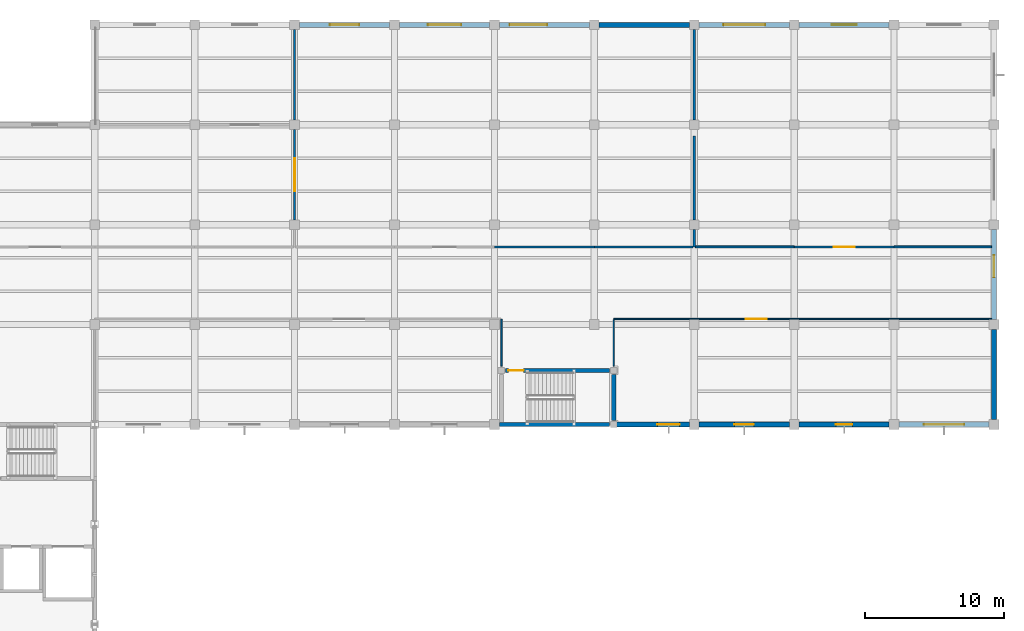
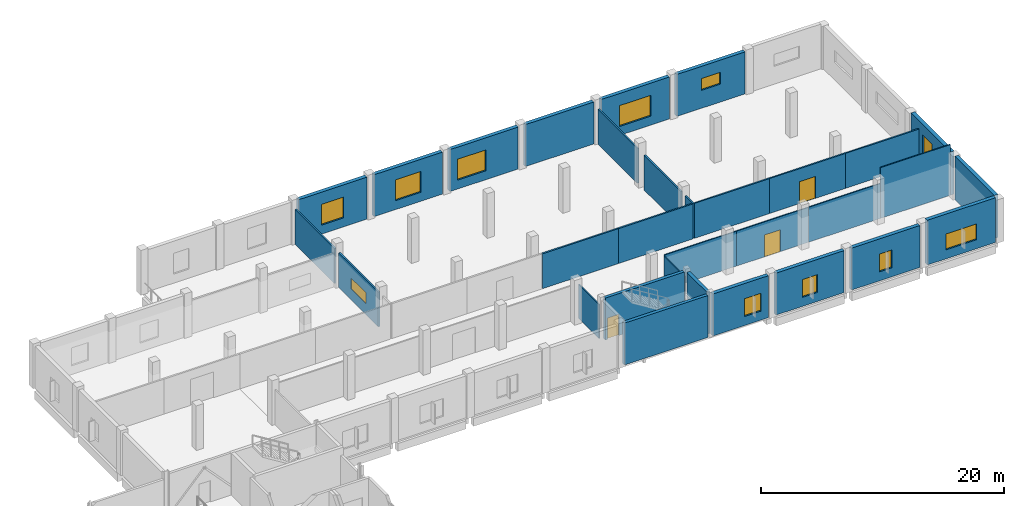
# One storey, part 93 of 108: 31 walls, 11 windows, 3 doors, 14 openings.
"""IFC4 building model written with IfcOpenShell, lengths in metres."""

from ifc_helpers import new_model, si_unit, direction, frame, frame_2d, origin, place, context, subcontext, project, spatial, rectangle, extrude, material, layer, layer_set, type_object, element, fill, save


model = new_model("IFC4")

# Units and contexts
model_context = context("Model", 3, precision=1e-05, world=origin(), true_north=direction((0.0, 1.0)))
body_context = subcontext(model_context, "Body", "Model", "MODEL_VIEW")
ifc_project = project(units=[si_unit("LENGTHUNIT", "METRE"), si_unit("AREAUNIT", "SQUARE_METRE"), si_unit("VOLUMEUNIT", "CUBIC_METRE"), si_unit("PLANEANGLEUNIT", "RADIAN"), si_unit("MASSUNIT", "GRAM", prefix="KILO"), si_unit("THERMODYNAMICTEMPERATUREUNIT", "KELVIN"), si_unit("POWERUNIT", "WATT")], contexts=[model_context])

# Site, building, storey
site_placement = place(None, origin())
site = spatial("IfcSite", under=ifc_project, at=site_placement, CompositionType="ELEMENT")
building_placement = place(site_placement, origin())
building = spatial("IfcBuilding", under=site, at=building_placement, Name="Kaldorven Railside Theatre", CompositionType="ELEMENT")
storey_placement = place(building_placement, frame((0.0, 0.0, 5.39990234375)))
storey = spatial("IfcBuildingStorey", under=building, at=storey_placement, Name="L01", CompositionType="ELEMENT", Elevation=5.39990234375)

# Wall, opening, window
ifc_material_1 = material(Name="Precast concrete C40/50", Category="concrete")
ifc_layer_1 = layer(ifc_material_1, 0.35009765625, Name="Precast concrete C40/50")
ifc_layer_set_1 = layer_set([ifc_layer_1], Name="Precast concrete C40/50")
wall_type_1 = type_object("IfcWallType", Name="WL-EW03", PredefinedType="SOLIDWALL", material=ifc_layer_set_1)
wall_1_placement = place(storey_placement, frame((187.64990234375, 112.800048828125, 0.0), z_axis=(0.0, 0.0, 1.0), x_axis=(-1.0, 0.0, 0.0)))
wall_1 = element("IfcWall", 1, at=wall_1_placement, inside=storey, type_object=wall_type_1, Name="V6 L01 Exterior Wall EW-0392", PredefinedType="SOLIDWALL", context=body_context, shape_type="SweptSolid", body=[
    extrude(rectangle(XDim=6.5, YDim=0.35009765625, at=frame_2d((3.25, 0.0))), origin(), (0.0, 0.0, 1.0), 4.5),
])
opening_1_placement = place(wall_1_placement, frame((1.800048828125, 0.0, 0.89990234375)))
opening_1 = element("IfcOpeningElement", 2, at=opening_1_placement, cuts=wall_1, Name="Opening WN-075", PredefinedType="OPENING", context=body_context, shape_type="SweptSolid", body=[
    extrude(rectangle(XDim=2.89990234375, YDim=1.60009765625, at=frame_2d((1.449951171875, 0.800048828125))), frame((0.0, 0.18505859375, 0.0), z_axis=(0.0, -1.0, 0.0), x_axis=(1.0, 0.0, 0.0)), (0.0, 0.0, 1.0), 0.3701171875),
])
ifc_material_2 = material(Name="Low-E laminated solar-control glass", Category="glass")
window_type_1 = type_object("IfcWindowType", Name="WN-EW25", PartitioningType="SINGLE_PANEL", PredefinedType="WINDOW", material=ifc_material_2)
window_1_placement = place(opening_1_placement, origin())
window_1 = element("IfcWindow", 3, at=window_1_placement, inside=storey, type_object=window_type_1, Name="Shaded Acoustic Exterior Window WN-075", OverallHeight=1.60009765625, OverallWidth=2.89990234375, PartitioningType="SINGLE_PANEL", PredefinedType="WINDOW", context=body_context, shape_type="SweptSolid", body=[
    extrude(rectangle(XDim=2.89990234375, YDim=1.60009765625, at=frame_2d((1.449951171875, 0.800048828125))), frame((0.0, 0.030029296875, 0.0), z_axis=(0.0, -1.0, 0.0), x_axis=(1.0, 0.0, 0.0)), (0.0, 0.0, 1.0), 0.06005859375),
])
fill(opening_1, window_1)

wall_2_placement = place(storey_placement, frame((180.449951171875, 112.800048828125, 0.0), z_axis=(0.0, 0.0, 1.0), x_axis=(-1.0, 0.0, 0.0)))
wall_2 = element("IfcWall", 4, at=wall_2_placement, inside=storey, type_object=wall_type_1, Name="V6 L01 Exterior Wall EW-0393", PredefinedType="SOLIDWALL", context=body_context, shape_type="SweptSolid", body=[
    extrude(rectangle(XDim=6.5, YDim=0.35009765625, at=frame_2d((3.25, 0.0))), origin(), (0.0, 0.0, 1.0), 4.22021484375),
])
opening_2_placement = place(wall_2_placement, frame((2.64990234375, 0.0, 0.89990234375)))
opening_2 = element("IfcOpeningElement", 5, at=opening_2_placement, cuts=wall_2, Name="Opening WN-076", PredefinedType="OPENING", context=body_context, shape_type="SweptSolid", body=[
    extrude(rectangle(XDim=1.199951171875, YDim=1.800048828125, at=frame_2d((0.60009765625, 0.89990234375))), frame((0.0, 0.18505859375, 0.0), z_axis=(0.0, -1.0, 0.0), x_axis=(1.0, 0.0, 0.0)), (0.0, 0.0, 1.0), 0.3701171875),
])
window_type_2 = type_object("IfcWindowType", Name="WN-EW01", PartitioningType="SINGLE_PANEL", PredefinedType="WINDOW", material=ifc_material_2)
window_2_placement = place(opening_2_placement, origin())
window_2 = element("IfcWindow", 6, at=window_2_placement, inside=storey, type_object=window_type_2, Name="Shaded Acoustic Exterior Window WN-076", OverallHeight=1.800048828125, OverallWidth=1.199951171875, PartitioningType="SINGLE_PANEL", PredefinedType="WINDOW", context=body_context, shape_type="SweptSolid", body=[
    extrude(rectangle(XDim=1.199951171875, YDim=1.800048828125, at=frame_2d((0.60009765625, 0.89990234375))), frame((0.0, 0.030029296875, 0.0), z_axis=(0.0, -1.0, 0.0), x_axis=(1.0, 0.0, 0.0)), (0.0, 0.0, 1.0), 0.06005859375),
])
fill(opening_2, window_2)

wall_3_placement = place(storey_placement, frame((173.25, 112.800048828125, 0.0), z_axis=(0.0, 0.0, 1.0), x_axis=(-1.0, 0.0, 0.0)))
wall_3 = element("IfcWall", 7, at=wall_3_placement, inside=storey, type_object=wall_type_1, Name="V6 L01 Exterior Wall EW-0394", PredefinedType="SOLIDWALL", context=body_context, shape_type="SweptSolid", body=[
    extrude(rectangle(XDim=6.5, YDim=0.35009765625, at=frame_2d((3.25, 0.0))), origin(), (0.0, 0.0, 1.0), 4.22021484375),
])
opening_3_placement = place(wall_3_placement, frame((2.550048828125, 0.0, 0.89990234375)))
opening_3 = element("IfcOpeningElement", 8, at=opening_3_placement, cuts=wall_3, Name="Opening WN-077", PredefinedType="OPENING", context=body_context, shape_type="SweptSolid", body=[
    extrude(rectangle(XDim=1.39990234375, YDim=1.800048828125, at=frame_2d((0.699951171875, 0.89990234375))), frame((0.0, 0.18505859375, 0.0), z_axis=(0.0, -1.0, 0.0), x_axis=(1.0, 0.0, 0.0)), (0.0, 0.0, 1.0), 0.3701171875),
])
window_type_3 = type_object("IfcWindowType", Name="WN-EW02", PartitioningType="SINGLE_PANEL", PredefinedType="WINDOW", material=ifc_material_2)
window_3_placement = place(opening_3_placement, origin())
window_3 = element("IfcWindow", 9, at=window_3_placement, inside=storey, type_object=window_type_3, Name="Shaded Acoustic Exterior Window WN-077", OverallHeight=1.800048828125, OverallWidth=1.39990234375, PartitioningType="SINGLE_PANEL", PredefinedType="WINDOW", context=body_context, shape_type="SweptSolid", body=[
    extrude(rectangle(XDim=1.39990234375, YDim=1.800048828125, at=frame_2d((0.699951171875, 0.89990234375))), frame((0.0, 0.030029296875, 0.0), z_axis=(0.0, -1.0, 0.0), x_axis=(1.0, 0.0, 0.0)), (0.0, 0.0, 1.0), 0.06005859375),
])
fill(opening_3, window_3)

wall_4_placement = place(storey_placement, frame((166.050048828125, 112.800048828125, 0.0), z_axis=(0.0, 0.0, 1.0), x_axis=(-1.0, 0.0, 0.0)))
wall_4 = element("IfcWall", 10, at=wall_4_placement, inside=storey, type_object=wall_type_1, Name="V6 L01 Exterior Wall EW-0395", PredefinedType="SOLIDWALL", context=body_context, shape_type="SweptSolid", body=[
    extrude(rectangle(XDim=5.300048828125, YDim=0.35009765625, at=frame_2d((2.64990234375, 0.0))), origin(), (0.0, 0.0, 1.0), 4.22021484375),
])
opening_4_placement = place(wall_4_placement, frame((0.699951171875, 0.0, 0.89990234375)))
opening_4 = element("IfcOpeningElement", 11, at=opening_4_placement, cuts=wall_4, Name="Opening WN-078", PredefinedType="OPENING", context=body_context, shape_type="SweptSolid", body=[
    extrude(rectangle(XDim=1.60009765625, YDim=1.800048828125, at=frame_2d((0.800048828125, 0.89990234375))), frame((0.0, 0.18505859375, 0.0), z_axis=(0.0, -1.0, 0.0), x_axis=(1.0, 0.0, 0.0)), (0.0, 0.0, 1.0), 0.3701171875),
])
window_type_4 = type_object("IfcWindowType", Name="WN-EW03", PartitioningType="SINGLE_PANEL", PredefinedType="WINDOW", material=ifc_material_2)
window_4_placement = place(opening_4_placement, origin())
window_4 = element("IfcWindow", 12, at=window_4_placement, inside=storey, type_object=window_type_4, Name="Shaded Acoustic Exterior Window WN-078", OverallHeight=1.800048828125, OverallWidth=1.60009765625, PartitioningType="SINGLE_PANEL", PredefinedType="WINDOW", context=body_context, shape_type="SweptSolid", body=[
    extrude(rectangle(XDim=1.60009765625, YDim=1.800048828125, at=frame_2d((0.800048828125, 0.89990234375))), frame((0.0, 0.030029296875, 0.0), z_axis=(0.0, -1.0, 0.0), x_axis=(1.0, 0.0, 0.0)), (0.0, 0.0, 1.0), 0.06005859375),
])
fill(opening_4, window_4)

wall_5_placement = place(storey_placement, frame((137.949951171875, 141.60009765625, 0.0), z_axis=(0.0, 0.0, 1.0), x_axis=(1.0, 0.0, 0.0)))
wall_5 = element("IfcWall", 13, at=wall_5_placement, inside=storey, type_object=wall_type_1, Name="V6 L01 Exterior Wall EW-0402", PredefinedType="SOLIDWALL", context=body_context, shape_type="SweptSolid", body=[
    extrude(rectangle(XDim=6.5, YDim=0.35009765625, at=frame_2d((3.25, 0.0))), origin(), (0.0, 0.0, 1.0), 4.22021484375),
])
opening_5_placement = place(wall_5_placement, frame((2.199951171875, 0.0, 0.89990234375)))
opening_5 = element("IfcOpeningElement", 14, at=opening_5_placement, cuts=wall_5, Name="Opening WN-085", PredefinedType="OPENING", context=body_context, shape_type="SweptSolid", body=[
    extrude(rectangle(XDim=2.10009765625, YDim=2.10009765625, at=frame_2d((1.050048828125, 1.050048828125))), frame((0.0, 0.18505859375, 0.0), z_axis=(0.0, -1.0, 0.0), x_axis=(1.0, 0.0, 0.0)), (0.0, 0.0, 1.0), 0.3701171875),
])
window_type_5 = type_object("IfcWindowType", Name="WN-EW10", PartitioningType="SINGLE_PANEL", PredefinedType="WINDOW", material=ifc_material_2)
window_5_placement = place(opening_5_placement, origin())
window_5 = element("IfcWindow", 15, at=window_5_placement, inside=storey, type_object=window_type_5, Name="Shaded Acoustic Exterior Window WN-085", OverallHeight=2.10009765625, OverallWidth=2.10009765625, PartitioningType="SINGLE_PANEL", PredefinedType="WINDOW", context=body_context, shape_type="SweptSolid", body=[
    extrude(rectangle(XDim=2.10009765625, YDim=2.10009765625, at=frame_2d((1.050048828125, 1.050048828125))), frame((0.0, 0.030029296875, 0.0), z_axis=(0.0, -1.0, 0.0), x_axis=(1.0, 0.0, 0.0)), (0.0, 0.0, 1.0), 0.06005859375),
])
fill(opening_5, window_5)

wall_6_placement = place(storey_placement, frame((145.14990234375, 141.60009765625, 0.0), z_axis=(0.0, 0.0, 1.0), x_axis=(1.0, 0.0, 0.0)))
wall_6 = element("IfcWall", 16, at=wall_6_placement, inside=storey, type_object=wall_type_1, Name="V6 L01 Exterior Wall EW-0403", PredefinedType="SOLIDWALL", context=body_context, shape_type="SweptSolid", body=[
    extrude(rectangle(XDim=6.5, YDim=0.35009765625, at=frame_2d((3.25, 0.0))), origin(), (0.0, 0.0, 1.0), 4.22021484375),
])
opening_6_placement = place(wall_6_placement, frame((2.050048828125, 0.0, 0.89990234375)))
opening_6 = element("IfcOpeningElement", 17, at=opening_6_placement, cuts=wall_6, Name="Opening WN-086", PredefinedType="OPENING", context=body_context, shape_type="SweptSolid", body=[
    extrude(rectangle(XDim=2.39990234375, YDim=2.10009765625, at=frame_2d((1.199951171875, 1.050048828125))), frame((0.0, 0.18505859375, 0.0), z_axis=(0.0, -1.0, 0.0), x_axis=(1.0, 0.0, 0.0)), (0.0, 0.0, 1.0), 0.3701171875),
])
window_type_6 = type_object("IfcWindowType", Name="WN-EW11", PartitioningType="SINGLE_PANEL", PredefinedType="WINDOW", material=ifc_material_2)
window_6_placement = place(opening_6_placement, origin())
window_6 = element("IfcWindow", 18, at=window_6_placement, inside=storey, type_object=window_type_6, Name="Shaded Acoustic Exterior Window WN-086", OverallHeight=2.10009765625, OverallWidth=2.39990234375, PartitioningType="SINGLE_PANEL", PredefinedType="WINDOW", context=body_context, shape_type="SweptSolid", body=[
    extrude(rectangle(XDim=2.39990234375, YDim=2.10009765625, at=frame_2d((1.199951171875, 1.050048828125))), frame((0.0, 0.030029296875, 0.0), z_axis=(0.0, -1.0, 0.0), x_axis=(1.0, 0.0, 0.0)), (0.0, 0.0, 1.0), 0.06005859375),
])
fill(opening_6, window_6)

wall_7_placement = place(storey_placement, frame((152.35009765625, 141.60009765625, 0.0), z_axis=(0.0, 0.0, 1.0), x_axis=(1.0, 0.0, 0.0)))
wall_7 = element("IfcWall", 19, at=wall_7_placement, inside=storey, type_object=wall_type_1, Name="V6 L01 Exterior Wall EW-0404", PredefinedType="SOLIDWALL", context=body_context, shape_type="SweptSolid", body=[
    extrude(rectangle(XDim=6.5, YDim=0.35009765625, at=frame_2d((3.25, 0.0))), origin(), (0.0, 0.0, 1.0), 4.22021484375),
])
opening_7_placement = place(wall_7_placement, frame((0.75, 0.0, 0.89990234375)))
opening_7 = element("IfcOpeningElement", 20, at=opening_7_placement, cuts=wall_7, Name="Opening WN-087", PredefinedType="OPENING", context=body_context, shape_type="SweptSolid", body=[
    extrude(rectangle(XDim=2.699951171875, YDim=2.10009765625, at=frame_2d((1.35009765625, 1.050048828125))), frame((0.0, 0.18505859375, 0.0), z_axis=(0.0, -1.0, 0.0), x_axis=(1.0, 0.0, 0.0)), (0.0, 0.0, 1.0), 0.3701171875),
])
window_type_7 = type_object("IfcWindowType", Name="WN-EW12", PartitioningType="SINGLE_PANEL", PredefinedType="WINDOW", material=ifc_material_2)
window_7_placement = place(opening_7_placement, origin())
window_7 = element("IfcWindow", 21, at=window_7_placement, inside=storey, type_object=window_type_7, Name="Shaded Acoustic Exterior Window WN-087", OverallHeight=2.10009765625, OverallWidth=2.699951171875, PartitioningType="SINGLE_PANEL", PredefinedType="WINDOW", context=body_context, shape_type="SweptSolid", body=[
    extrude(rectangle(XDim=2.699951171875, YDim=2.10009765625, at=frame_2d((1.35009765625, 1.050048828125))), frame((0.0, 0.030029296875, 0.0), z_axis=(0.0, -1.0, 0.0), x_axis=(1.0, 0.0, 0.0)), (0.0, 0.0, 1.0), 0.06005859375),
])
fill(opening_7, window_7)

# Wall
wall_8_placement = place(storey_placement, frame((159.550048828125, 141.60009765625, 0.0), z_axis=(0.0, 0.0, 1.0), x_axis=(1.0, 0.0, 0.0)))
element("IfcWall", 22, at=wall_8_placement, inside=storey, type_object=wall_type_1, Name="V6 L01 Exterior Wall EW-0405", PredefinedType="SOLIDWALL", context=body_context, shape_type="SweptSolid", body=[
    extrude(rectangle(XDim=6.5, YDim=0.35009765625, at=frame_2d((3.25, 0.0))), origin(), (0.0, 0.0, 1.0), 4.22021484375),
])

# Wall, opening, window
wall_9_placement = place(storey_placement, frame((166.75, 141.60009765625, 0.0), z_axis=(0.0, 0.0, 1.0), x_axis=(1.0, 0.0, 0.0)))
wall_9 = element("IfcWall", 23, at=wall_9_placement, inside=storey, type_object=wall_type_1, Name="V6 L01 Exterior Wall EW-0406", PredefinedType="SOLIDWALL", context=body_context, shape_type="SweptSolid", body=[
    extrude(rectangle(XDim=6.5, YDim=0.35009765625, at=frame_2d((3.25, 0.0))), origin(), (0.0, 0.0, 1.0), 4.22021484375),
])
opening_8_placement = place(wall_9_placement, frame((1.75, 0.0, 0.89990234375)))
opening_8 = element("IfcOpeningElement", 24, at=opening_8_placement, cuts=wall_9, Name="Opening WN-088", PredefinedType="OPENING", context=body_context, shape_type="SweptSolid", body=[
    extrude(rectangle(XDim=3.0, YDim=2.10009765625, at=frame_2d((1.5, 1.050048828125))), frame((0.0, 0.18505859375, 0.0), z_axis=(0.0, -1.0, 0.0), x_axis=(1.0, 0.0, 0.0)), (0.0, 0.0, 1.0), 0.3701171875),
])
window_type_8 = type_object("IfcWindowType", Name="WN-EW13", PartitioningType="SINGLE_PANEL", PredefinedType="WINDOW", material=ifc_material_2)
window_8_placement = place(opening_8_placement, origin())
window_8 = element("IfcWindow", 25, at=window_8_placement, inside=storey, type_object=window_type_8, Name="Shaded Acoustic Exterior Window WN-088", OverallHeight=2.10009765625, OverallWidth=3.0, PartitioningType="SINGLE_PANEL", PredefinedType="WINDOW", context=body_context, shape_type="SweptSolid", body=[
    extrude(rectangle(XDim=3.0, YDim=2.10009765625, at=frame_2d((1.5, 1.050048828125))), frame((0.0, 0.030029296875, 0.0), z_axis=(0.0, -1.0, 0.0), x_axis=(1.0, 0.0, 0.0)), (0.0, 0.0, 1.0), 0.06005859375),
])
fill(opening_8, window_8)

wall_10_placement = place(storey_placement, frame((173.949951171875, 141.60009765625, 0.0), z_axis=(0.0, 0.0, 1.0), x_axis=(1.0, 0.0, 0.0)))
wall_10 = element("IfcWall", 26, at=wall_10_placement, inside=storey, type_object=wall_type_1, Name="V6 L01 Exterior Wall EW-0407", PredefinedType="SOLIDWALL", context=body_context, shape_type="SweptSolid", body=[
    extrude(rectangle(XDim=6.5, YDim=0.35009765625, at=frame_2d((3.25, 0.0))), origin(), (0.0, 0.0, 1.0), 4.22021484375),
])
opening_9_placement = place(wall_10_placement, frame((2.35009765625, 0.0, 1.800048828125)))
opening_9 = element("IfcOpeningElement", 27, at=opening_9_placement, cuts=wall_10, Name="Opening WN-089", PredefinedType="OPENING", context=body_context, shape_type="SweptSolid", body=[
    extrude(rectangle(XDim=1.800048828125, YDim=1.199951171875, at=frame_2d((0.89990234375, 0.60009765625))), frame((0.0, 0.18505859375, 0.0), z_axis=(0.0, -1.0, 0.0), x_axis=(1.0, 0.0, 0.0)), (0.0, 0.0, 1.0), 0.3701171875),
])
window_type_9 = type_object("IfcWindowType", Name="WN-EW14", PartitioningType="SINGLE_PANEL", PredefinedType="WINDOW", material=ifc_material_2)
window_9_placement = place(opening_9_placement, origin())
window_9 = element("IfcWindow", 28, at=window_9_placement, inside=storey, type_object=window_type_9, Name="Shaded Acoustic Exterior Window WN-089", OverallHeight=1.199951171875, OverallWidth=1.800048828125, PartitioningType="SINGLE_PANEL", PredefinedType="WINDOW", context=body_context, shape_type="SweptSolid", body=[
    extrude(rectangle(XDim=1.800048828125, YDim=1.199951171875, at=frame_2d((0.89990234375, 0.60009765625))), frame((0.0, 0.030029296875, 0.0), z_axis=(0.0, -1.0, 0.0), x_axis=(1.0, 0.0, 0.0)), (0.0, 0.0, 1.0), 0.06005859375),
])
fill(opening_9, window_9)

wall_11_placement = place(storey_placement, frame((188.0, 126.85009765625, 0.0), z_axis=(0.0, 0.0, 1.0), x_axis=(0.0, -1.0, 0.0)))
wall_11 = element("IfcWall", 29, at=wall_11_placement, inside=storey, type_object=wall_type_1, Name="V6 L01 Exterior Wall EW-0411", PredefinedType="SOLIDWALL", context=body_context, shape_type="SweptSolid", body=[
    extrude(rectangle(XDim=6.5, YDim=0.35009765625, at=frame_2d((3.25, 0.0))), origin(), (0.0, 0.0, 1.0), 4.346435546875),
])
opening_10_placement = place(wall_11_placement, frame((1.85009765625, 0.0, 0.89990234375)))
opening_10 = element("IfcOpeningElement", 30, at=opening_10_placement, cuts=wall_11, Name="Opening WN-093", PredefinedType="OPENING", context=body_context, shape_type="SweptSolid", body=[
    extrude(rectangle(XDim=1.60009765625, YDim=2.39990234375, at=frame_2d((0.800048828125, 1.199951171875))), frame((0.0, 0.18505859375, 0.0), z_axis=(0.0, -1.0, 0.0), x_axis=(1.0, 0.0, 0.0)), (0.0, 0.0, 1.0), 0.3701171875),
])
window_type_10 = type_object("IfcWindowType", Name="WN-EW18", PartitioningType="SINGLE_PANEL", PredefinedType="WINDOW", material=ifc_material_2)
window_10_placement = place(opening_10_placement, origin())
window_10 = element("IfcWindow", 31, at=window_10_placement, inside=storey, type_object=window_type_10, Name="Shaded Acoustic Exterior Window WN-093", OverallHeight=2.39990234375, OverallWidth=1.60009765625, PartitioningType="SINGLE_PANEL", PredefinedType="WINDOW", context=body_context, shape_type="SweptSolid", body=[
    extrude(rectangle(XDim=1.60009765625, YDim=2.39990234375, at=frame_2d((0.800048828125, 1.199951171875))), frame((0.0, 0.030029296875, 0.0), z_axis=(0.0, -1.0, 0.0), x_axis=(1.0, 0.0, 0.0)), (0.0, 0.0, 1.0), 0.06005859375),
])
fill(opening_10, window_10)

# Wall
wall_12_placement = place(storey_placement, frame((188.0, 119.64990234375, 0.0), z_axis=(0.0, 0.0, 1.0), x_axis=(0.0, -1.0, 0.0)))
element("IfcWall", 32, at=wall_12_placement, inside=storey, type_object=wall_type_1, Name="V6 L01 Exterior Wall EW-0412", PredefinedType="SOLIDWALL", context=body_context, shape_type="SweptSolid", body=[
    extrude(rectangle(XDim=6.5, YDim=0.35009765625, at=frame_2d((3.25, 0.0))), origin(), (0.0, 0.0, 1.0), 4.346435546875),
])

# Wall, opening, window
ifc_material_3 = material(Name="Acoustic gypsum board")
ifc_layer_2 = layer(ifc_material_3, 0.14990234375, Name="Acoustic gypsum board")
ifc_layer_set_2 = layer_set([ifc_layer_2], Name="Acoustic gypsum board")
wall_type_2 = type_object("IfcWallType", Name="WL-IW-AC1", PredefinedType="PARTITIONING", material=ifc_layer_set_2)
wall_13_placement = place(storey_placement, frame((137.60009765625, 127.550048828125, 0.0), z_axis=(0.0, 0.0, 1.0), x_axis=(0.0, 1.0, 0.0)))
wall_13 = element("IfcWall", 33, at=wall_13_placement, inside=storey, type_object=wall_type_2, Name="L01 Interior Wall IW-0547", PredefinedType="PARTITIONING", context=body_context, shape_type="SweptSolid", body=[
    extrude(rectangle(XDim=6.5, YDim=0.14990234375, at=frame_2d((3.25, 0.0))), origin(), (0.0, 0.0, 1.0), 3.51513671875),
])
opening_11_placement = place(wall_13_placement, frame((2.050048828125, 0.0, 1.10009765625)))
opening_11 = element("IfcOpeningElement", 34, at=opening_11_placement, cuts=wall_13, Name="Opening IWN-019", PredefinedType="OPENING", context=body_context, shape_type="SweptSolid", body=[
    extrude(rectangle(XDim=2.39990234375, YDim=1.10009765625, at=frame_2d((1.199951171875, 0.550048828125))), frame((0.0, 0.0849609375, 0.0), z_axis=(0.0, -1.0, 0.0), x_axis=(1.0, 0.0, 0.0)), (0.0, 0.0, 1.0), 0.169921875),
])
window_type_11 = type_object("IfcWindowType", Name="WN-IW03", PartitioningType="SINGLE_PANEL", PredefinedType="WINDOW", material=ifc_material_2)
window_11_placement = place(opening_11_placement, origin())
window_11 = element("IfcWindow", 35, at=window_11_placement, inside=storey, type_object=window_type_11, Name="Acoustic Observation Window IWN-019", OverallHeight=1.10009765625, OverallWidth=2.39990234375, PartitioningType="SINGLE_PANEL", PredefinedType="WINDOW", context=body_context, shape_type="SweptSolid", body=[
    extrude(rectangle(XDim=2.39990234375, YDim=1.10009765625, at=frame_2d((1.199951171875, 0.550048828125))), frame((0.0, 0.030029296875, 0.0), z_axis=(0.0, -1.0, 0.0), x_axis=(1.0, 0.0, 0.0)), (0.0, 0.0, 1.0), 0.06005859375),
])
fill(opening_11, window_11)

# Walls
wall_14_placement = place(storey_placement, frame((166.39990234375, 127.550048828125, 0.0), z_axis=(0.0, 0.0, 1.0), x_axis=(0.0, 1.0, 0.0)))
element("IfcWall", 36, at=wall_14_placement, inside=storey, type_object=wall_type_2, Name="L01 Interior Wall IW-0555", PredefinedType="PARTITIONING", context=body_context, shape_type="SweptSolid", body=[
    extrude(rectangle(XDim=6.050048828125, YDim=0.14990234375, at=frame_2d((3.02490234375, 0.0))), origin(), (0.0, 0.0, 1.0), 3.51513671875),
])
wall_15_placement = place(storey_placement, frame((166.39990234375, 125.60009765625, 0.0), z_axis=(0.0, 0.0, 1.0), x_axis=(0.0, 1.0, 0.0)))
element("IfcWall", 37, at=wall_15_placement, inside=storey, type_object=wall_type_2, Name="L01 Interior Wall IW-0556", PredefinedType="PARTITIONING", context=body_context, shape_type="SweptSolid", body=[
    extrude(rectangle(XDim=1.25, YDim=0.14990234375, at=frame_2d((0.625, 0.0))), origin(), (0.0, 0.0, 1.0), 3.51513671875),
])
for number, where, z_axis, x_axis, name in (
    (38, (166.39990234375, 134.75, 0.0), (0.0, 0.0, 1.0), (0.0, 1.0, 0.0), "L01 Interior Wall IW-0557"),
    (39, (137.60009765625, 141.25, 0.0), (0.0, 0.0, 1.0), (0.0, -1.0, 0.0), "L01 Interior Wall IW-0558"),
):
    element("IfcWall", number, at=place(storey_placement, frame(where, z_axis=z_axis, x_axis=x_axis)), inside=storey, type_object=wall_type_2, Name=name, PredefinedType="PARTITIONING", context=body_context, shape_type="SweptSolid", body=[
        extrude(rectangle(XDim=6.5, YDim=0.14990234375, at=frame_2d((3.25, 0.0))), origin(), (0.0, 0.0, 1.0), 3.51513671875),
    ])
wall_16_placement = place(storey_placement, frame((152.0, 125.60009765625, 0.0), z_axis=(0.0, 0.0, 1.0), x_axis=(1.0, 0.0, 0.0)))
element("IfcWall", 40, at=wall_16_placement, inside=storey, type_object=wall_type_2, Name="L01 Interior Wall IW-0561", PredefinedType="PARTITIONING", context=body_context, shape_type="SweptSolid", body=[
    extrude(rectangle(XDim=7.199951171875, YDim=0.14990234375, at=frame_2d((3.60009765625, 0.0))), origin(), (0.0, 0.0, 1.0), 3.51513671875),
])
wall_17_placement = place(storey_placement, frame((159.199951171875, 125.60009765625, 0.0), z_axis=(0.0, 0.0, 1.0), x_axis=(1.0, 0.0, 0.0)))
element("IfcWall", 41, at=wall_17_placement, inside=storey, type_object=wall_type_2, Name="L01 Interior Wall IW-0562", PredefinedType="PARTITIONING", context=body_context, shape_type="SweptSolid", body=[
    extrude(rectangle(XDim=7.123046875, YDim=0.14990234375, at=frame_2d((3.5615234375, 0.0))), origin(), (0.0, 0.0, 1.0), 3.51513671875),
])
ifc_layer_3 = layer(ifc_material_3, 0.139892578125, Name="Acoustic gypsum board")
ifc_layer_set_3 = layer_set([ifc_layer_3], Name="Acoustic gypsum board")
wall_type_3 = type_object("IfcWallType", Name="WL-IW-AC2", PredefinedType="PARTITIONING", material=ifc_layer_set_3)
wall_18_placement = place(storey_placement, frame((166.47705078125, 125.60009765625, 0.0), z_axis=(0.0, 0.0, 1.0), x_axis=(1.0, 0.0, 0.0)))
element("IfcWall", 42, at=wall_18_placement, inside=storey, type_object=wall_type_3, Name="L01 Interior Wall IW-0563", PredefinedType="PARTITIONING", context=body_context, shape_type="SweptSolid", body=[
    extrude(rectangle(XDim=7.123046875, YDim=0.139892578125, at=frame_2d((3.5615234375, 0.0))), origin(), (0.0, 0.0, 1.0), 3.51513671875),
])

# Wall, opening, door
wall_19_placement = place(storey_placement, frame((173.60009765625, 125.60009765625, 0.0), z_axis=(0.0, 0.0, 1.0), x_axis=(1.0, 0.0, 0.0)))
wall_19 = element("IfcWall", 43, at=wall_19_placement, inside=storey, type_object=wall_type_3, Name="L01 Interior Wall IW-0564", PredefinedType="PARTITIONING", context=body_context, shape_type="SweptSolid", body=[
    extrude(rectangle(XDim=7.199951171875, YDim=0.139892578125, at=frame_2d((3.60009765625, 0.0))), origin(), (0.0, 0.0, 1.0), 3.51513671875),
])
opening_12_placement = place(wall_19_placement, frame((2.85009765625, 0.0, 0.0)))
opening_12 = element("IfcOpeningElement", 44, at=opening_12_placement, cuts=wall_19, Name="Opening ID-0130", PredefinedType="OPENING", context=body_context, shape_type="SweptSolid", body=[
    extrude(rectangle(XDim=1.5, YDim=2.199951171875, at=frame_2d((0.75, 1.10009765625))), frame((0.0, 0.080078125, 0.0), z_axis=(0.0, -1.0, 0.0), x_axis=(1.0, 0.0, 0.0)), (0.0, 0.0, 1.0), 0.159912109375),
])
ifc_material_4 = material(Name="Acoustic hardwood timber", Category="wood")
door_type_1 = type_object("IfcDoorType", Name="DR-ID-REH2", OperationType="NOTDEFINED", PredefinedType="DOOR", material=ifc_material_4)
door_1_placement = place(opening_12_placement, origin())
door_1 = element("IfcDoor", 45, at=door_1_placement, inside=storey, type_object=door_type_1, Name="Chorus Dressing Room East Entry Door", OperationType="DOUBLE_DOOR_SINGLE_SWING", OverallHeight=2.199951171875, OverallWidth=1.5, PredefinedType="DOOR", context=body_context, shape_type="SweptSolid", body=[
    extrude(rectangle(XDim=1.5, YDim=2.199951171875, at=frame_2d((0.75, 1.10009765625))), frame((0.0, 0.02490234375, 0.0), z_axis=(0.0, -1.0, 0.0), x_axis=(1.0, 0.0, 0.0)), (0.0, 0.0, 1.0), 0.050048828125),
])
fill(opening_12, door_1)

# Walls
wall_20_placement = place(storey_placement, frame((180.800048828125, 125.60009765625, 0.0), z_axis=(0.0, 0.0, 1.0), x_axis=(1.0, 0.0, 0.0)))
element("IfcWall", 46, at=wall_20_placement, inside=storey, type_object=wall_type_3, Name="L01 Interior Wall IW-0565", PredefinedType="PARTITIONING", context=body_context, shape_type="SweptSolid", body=[
    extrude(rectangle(XDim=7.02294921875, YDim=0.139892578125, at=frame_2d((3.511474609375, 0.0))), origin(), (0.0, 0.0, 1.0), 3.51513671875),
])
ifc_material_5 = material(Name="Concrete C40/50", Category="concrete")
ifc_layer_4 = layer(ifc_material_5, 0.300048828125, Name="Concrete C40/50")
ifc_layer_set_4 = layer_set([ifc_layer_4], Name="Concrete C40/50")
wall_type_4 = type_object("IfcWallType", Name="WL-IW-CORE", PredefinedType="SHEAR", material=ifc_layer_set_4)
wall_21_placement = place(storey_placement, frame((160.300048828125, 112.800048828125, 0.0), z_axis=(0.0, 0.0, 1.0), x_axis=(-1.0, 0.0, 0.0)))
element("IfcWall", 47, at=wall_21_placement, inside=storey, type_object=wall_type_4, Name="L01 Core Wall CW-0309", PredefinedType="SHEAR", context=body_context, shape_type="SweptSolid", body=[
    extrude(rectangle(XDim=7.949951171875, YDim=0.300048828125, at=frame_2d((3.97509765625, 0.0))), origin(), (0.0, 0.0, 1.0), 4.22021484375),
])

# Wall, opening, door
wall_22_placement = place(storey_placement, frame((152.800048828125, 116.699951171875, 0.0), z_axis=(0.0, 0.0, 1.0), x_axis=(1.0, 0.0, 0.0)))
wall_22 = element("IfcWall", 48, at=wall_22_placement, inside=storey, type_object=wall_type_4, Name="L01 Core Wall CW-0311", PredefinedType="SHEAR", context=body_context, shape_type="SweptSolid", body=[
    extrude(rectangle(XDim=7.5, YDim=0.300048828125, at=frame_2d((3.75, 0.0))), origin(), (0.0, 0.0, 1.0), 4.22021484375),
])
opening_13_placement = place(wall_22_placement, frame((0.199951171875, 0.0, 0.0)))
opening_13 = element("IfcOpeningElement", 49, at=opening_13_placement, cuts=wall_22, Name="Opening ID-0051", PredefinedType="OPENING", context=body_context, shape_type="SweptSolid", body=[
    extrude(rectangle(XDim=1.10009765625, YDim=2.14990234375, at=frame_2d((0.550048828125, 1.074951171875))), frame((0.0, 0.16015625, 0.0), z_axis=(0.0, -1.0, 0.0), x_axis=(1.0, 0.0, 0.0)), (0.0, 0.0, 1.0), 0.320068359375),
])
door_type_2 = type_object("IfcDoorType", Name="DR-ID-FD60", OperationType="NOTDEFINED", PredefinedType="DOOR", material=ifc_material_4)
door_2_placement = place(opening_13_placement, origin())
door_2 = element("IfcDoor", 50, at=door_2_placement, inside=storey, type_object=door_type_2, Name="Stair ST-08 Fire Door", OperationType="SINGLE_SWING_LEFT", OverallHeight=2.14990234375, OverallWidth=1.10009765625, PredefinedType="DOOR", context=body_context, shape_type="SweptSolid", body=[
    extrude(rectangle(XDim=1.10009765625, YDim=2.14990234375, at=frame_2d((0.550048828125, 1.074951171875))), frame((0.0, 0.02490234375, 0.0), z_axis=(0.0, -1.0, 0.0), x_axis=(1.0, 0.0, 0.0)), (0.0, 0.0, 1.0), 0.050048828125),
])
fill(opening_13, door_2)

# Walls
wall_23_placement = place(storey_placement, frame((160.60009765625, 116.39990234375, 0.0), z_axis=(0.0, 0.0, 1.0), x_axis=(0.0, -1.0, 0.0)))
element("IfcWall", 51, at=wall_23_placement, inside=storey, type_object=wall_type_4, Name="L01 Core Wall CW-0312", PredefinedType="SHEAR", context=body_context, shape_type="SweptSolid", body=[
    extrude(rectangle(XDim=3.2998046875, YDim=0.300048828125, at=frame_2d((1.64990234375, 0.0))), origin(), (0.0, 0.0, 1.0), 4.22021484375),
])
ifc_material_6 = material(Name="Fire-rated acoustic gypsum board")
ifc_layer_5 = layer(ifc_material_6, 0.1201171875, Name="Fire-rated acoustic gypsum board")
ifc_layer_set_5 = layer_set([ifc_layer_5], Name="Fire-rated acoustic gypsum board")
wall_type_5 = type_object("IfcWallType", Name="WL-IW-PT1", PredefinedType="PARTITIONING", material=ifc_layer_set_5)
wall_24_placement = place(storey_placement, frame((152.5, 117.0, 0.0), z_axis=(0.0, 0.0, 1.0), x_axis=(0.0, 1.0, 0.0)))
element("IfcWall", 52, at=wall_24_placement, inside=storey, type_object=wall_type_5, Name="L01 Interior Wall IW-0566", PredefinedType="PARTITIONING", context=body_context, shape_type="SweptSolid", body=[
    extrude(rectangle(XDim=3.39990234375, YDim=0.1201171875, at=frame_2d((1.699951171875, 0.0))), origin(), (0.0, 0.0, 1.0), 3.4150390625),
])
ifc_layer_6 = layer(ifc_material_6, 0.10009765625, Name="Fire-rated acoustic gypsum board")
ifc_layer_set_6 = layer_set([ifc_layer_6], Name="Fire-rated acoustic gypsum board")
wall_type_6 = type_object("IfcWallType", Name="WL-IW-PT2", PredefinedType="PARTITIONING", material=ifc_layer_set_6)
wall_25_placement = place(storey_placement, frame((187.822998046875, 120.39990234375, 0.0), z_axis=(0.0, 0.0, 1.0), x_axis=(-1.0, 0.0, 0.0)))
element("IfcWall", 53, at=wall_25_placement, inside=storey, type_object=wall_type_6, Name="L01 Interior Wall IW-0572", PredefinedType="PARTITIONING", context=body_context, shape_type="SweptSolid", body=[
    extrude(rectangle(XDim=6.673095703125, YDim=0.10009765625, at=frame_2d((3.33642578125, 0.0))), origin(), (0.0, 0.0, 1.0), 5.102783203125),
])
wall_26_placement = place(storey_placement, frame((181.14990234375, 120.39990234375, 0.0), z_axis=(0.0, 0.0, 1.0), x_axis=(-1.0, 0.0, 0.0)))
element("IfcWall", 54, at=wall_26_placement, inside=storey, type_object=wall_type_6, Name="L01 Interior Wall IW-0573", PredefinedType="PARTITIONING", context=body_context, shape_type="SweptSolid", body=[
    extrude(rectangle(XDim=6.849853515625, YDim=0.10009765625, at=frame_2d((3.4248046875, 0.0))), origin(), (0.0, 0.0, 1.0), 3.51513671875),
])

# Wall, opening, door
wall_27_placement = place(storey_placement, frame((174.300048828125, 120.39990234375, 0.0), z_axis=(0.0, 0.0, 1.0), x_axis=(-1.0, 0.0, 0.0)))
wall_27 = element("IfcWall", 55, at=wall_27_placement, inside=storey, type_object=wall_type_6, Name="L01 Interior Wall IW-0574", PredefinedType="PARTITIONING", context=body_context, shape_type="SweptSolid", body=[
    extrude(rectangle(XDim=6.85009765625, YDim=0.10009765625, at=frame_2d((3.425048828125, 0.0))), origin(), (0.0, 0.0, 1.0), 3.51513671875),
])
opening_14_placement = place(wall_27_placement, frame((2.675048828125, 0.0, 0.0)))
opening_14 = element("IfcOpeningElement", 56, at=opening_14_placement, cuts=wall_27, Name="Opening ID-0132", PredefinedType="OPENING", context=body_context, shape_type="SweptSolid", body=[
    extrude(rectangle(XDim=1.5, YDim=2.199951171875, at=frame_2d((0.75, 1.10009765625))), frame((0.0, 0.06005859375, 0.0), z_axis=(0.0, -1.0, 0.0), x_axis=(1.0, 0.0, 0.0)), (0.0, 0.0, 1.0), 0.1201171875),
])
door_3_placement = place(opening_14_placement, origin())
door_3 = element("IfcDoor", 57, at=door_3_placement, inside=storey, type_object=door_type_1, Name="Costume Fitting Studio Entry Door", OperationType="DOUBLE_DOOR_SINGLE_SWING", OverallHeight=2.199951171875, OverallWidth=1.5, PredefinedType="DOOR", context=body_context, shape_type="SweptSolid", body=[
    extrude(rectangle(XDim=1.5, YDim=2.199951171875, at=frame_2d((0.75, 1.10009765625))), frame((0.0, 0.02490234375, 0.0), z_axis=(0.0, -1.0, 0.0), x_axis=(1.0, 0.0, 0.0)), (0.0, 0.0, 1.0), 0.050048828125),
])
fill(opening_14, door_3)

# Walls
wall_28_placement = place(storey_placement, frame((167.449951171875, 120.39990234375, 0.0), z_axis=(0.0, 0.0, 1.0), x_axis=(-1.0, 0.0, 0.0)))
element("IfcWall", 58, at=wall_28_placement, inside=storey, type_object=wall_type_6, Name="L01 Interior Wall IW-0575", PredefinedType="PARTITIONING", context=body_context, shape_type="SweptSolid", body=[
    extrude(rectangle(XDim=6.849853515625, YDim=0.10009765625, at=frame_2d((3.4248046875, 0.0))), origin(), (0.0, 0.0, 1.0), 3.51513671875),
])
wall_29_placement = place(storey_placement, frame((160.60009765625, 120.347900390625, 0.0), z_axis=(0.0, 0.0, 1.0), x_axis=(0.0, -1.0, 0.0)))
element("IfcWall", 59, at=wall_29_placement, inside=storey, type_object=wall_type_6, Name="L01 Interior Wall IW-0576", PredefinedType="PARTITIONING", context=body_context, shape_type="SweptSolid", body=[
    extrude(rectangle(XDim=3.347900390625, YDim=0.10009765625, at=frame_2d((1.673828125, 0.0))), origin(), (0.0, 0.0, 1.0), 3.4150390625),
])

save(model, "model.ifc")
